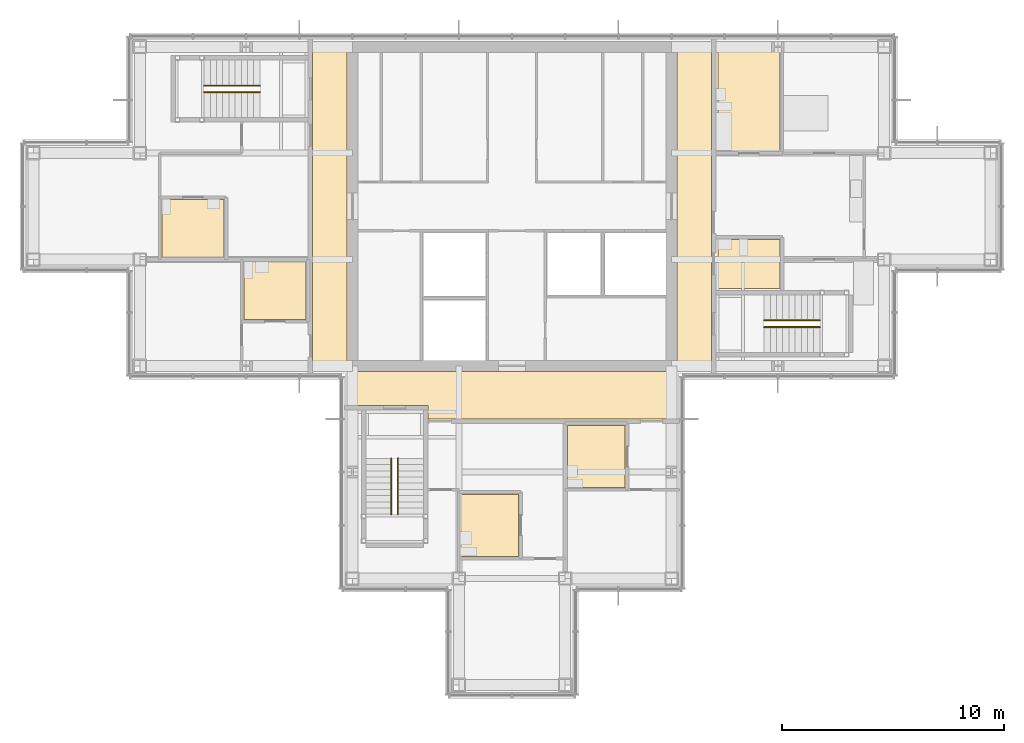
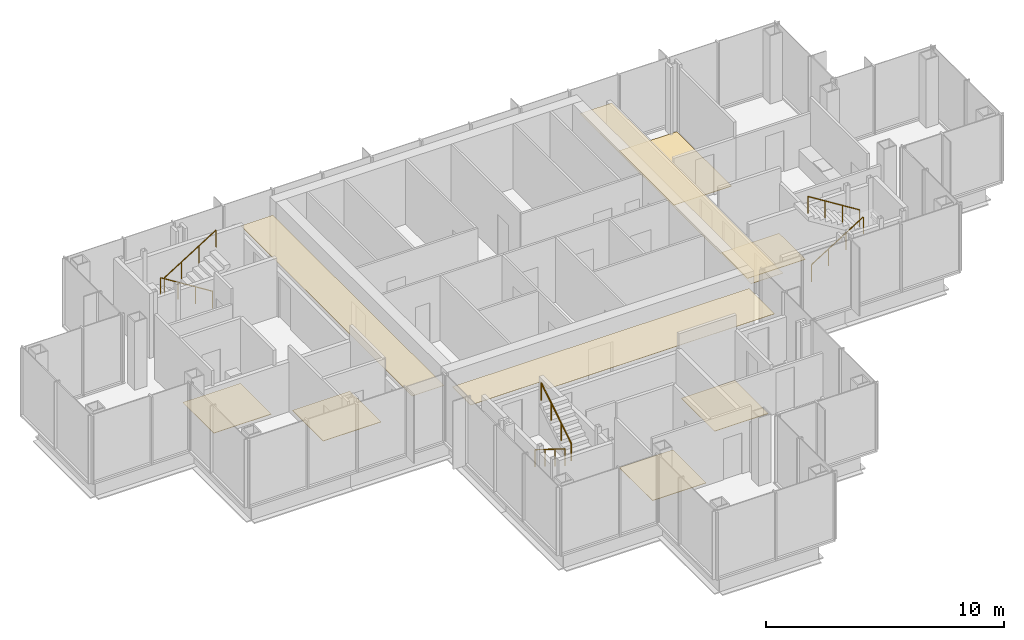
# One storey, part 13 of 15: 9 coverings, 6 railings.
"""IFC4 building model written with IfcOpenShell, lengths in metres."""

from ifc_helpers import new_model, si_unit, direction, frame, origin, origin_2d, place, context, subcontext, project, spatial, polyline, circle, outline, extrude, material, layer, layer_set, type_object, element, save


model = new_model("IFC4")

# Units and contexts
model_context = context("Model", 3, precision=1e-05, world=origin(), true_north=direction((0.0, 1.0)))
body_context = subcontext(model_context, "Body", "Model", "MODEL_VIEW")
ifc_project = project(units=[si_unit("LENGTHUNIT", "METRE"), si_unit("AREAUNIT", "SQUARE_METRE"), si_unit("VOLUMEUNIT", "CUBIC_METRE"), si_unit("PLANEANGLEUNIT", "RADIAN"), si_unit("MASSUNIT", "GRAM", prefix="KILO")], contexts=[model_context])

# Site, building, storey
site_placement = place(None, origin())
site = spatial("IfcSite", under=ifc_project, at=site_placement, CompositionType="ELEMENT")
building_placement = place(site_placement, origin())
building = spatial("IfcBuilding", under=site, at=building_placement, Name="Kvirike Care Tower", CompositionType="ELEMENT")
storey_placement = place(building_placement, frame((0.0, 0.0, 233.0)))
storey = spatial("IfcBuildingStorey", under=building, at=storey_placement, Name="L64", CompositionType="ELEMENT", Elevation=233.0)

# Coverings
ifc_material_1 = material(Name="Perforated metal ceiling tile", Category="aluminium")
ifc_layer_1 = layer(ifc_material_1, 0.014892578125)
ifc_layer_set_1 = layer_set([ifc_layer_1], Name="CORRIDOR CEILING 15")
covering_type_1 = type_object("IfcCoveringType", Name="CORRIDOR CEILING 15", PredefinedType="CEILING", material=ifc_layer_set_1)
covering_1_placement = place(storey_placement, frame((0.0, 0.0, 2.5)))
element("IfcCovering", 1, at=covering_1_placement, inside=storey, type_object=covering_type_1, Name="Corridor ceiling L64", PredefinedType="CEILING", context=body_context, shape_type="SweptSolid", body=[
    extrude(outline(polyline([(12.60009765625, 43.199951171875), (14.14990234375, 43.199951171875), (14.14990234375, 28.800048828125), (12.60009765625, 28.800048828125), (12.60009765625, 43.199951171875)])), origin(), (0.0, 0.0, 1.0), 0.014892578125),
])
covering_2_placement = place(storey_placement, frame((0.0, 0.0, 2.5)))
element("IfcCovering", 2, at=covering_2_placement, inside=storey, type_object=covering_type_1, Name="Corridor ceiling L64", PredefinedType="CEILING", context=body_context, shape_type="SweptSolid", body=[
    extrude(outline(polyline([(14.39990234375, 28.550048828125), (28.800048828125, 28.550048828125), (28.800048828125, 26.39990234375), (17.800048828125, 26.39990234375), (17.800048828125, 27.0), (14.39990234375, 27.0), (14.39990234375, 28.550048828125)])), origin(), (0.0, 0.0, 1.0), 0.014892578125),
])
covering_3_placement = place(storey_placement, frame((0.0, 0.0, 2.5)))
element("IfcCovering", 3, at=covering_3_placement, inside=storey, type_object=covering_type_1, Name="Corridor ceiling L64", PredefinedType="CEILING", context=body_context, shape_type="SweptSolid", body=[
    extrude(outline(polyline([(30.60009765625, 28.800048828125), (29.050048828125, 28.800048828125), (29.050048828125, 43.199951171875), (30.60009765625, 43.199951171875), (30.60009765625, 28.800048828125)])), origin(), (0.0, 0.0, 1.0), 0.014892578125),
])

# Railings
ifc_material_2 = material(Name="Stainless steel handrail", Category="steel")
railing_type = type_object("IfcRailingType", Name="STAIR HANDRAIL 900", PredefinedType="HANDRAIL", material=ifc_material_2)
railing_1_placement = place(storey_placement, frame((10.219970703125, 41.449951171875, 0.175048828125)))
element("IfcRailing", 4, at=railing_1_placement, inside=storey, type_object=railing_type, Name="Stair 1 handrail L64 flight 1", PredefinedType="HANDRAIL", context=body_context, shape_type="SweptSolid", body=[
    extrude(circle(Radius=0.02490234375, at=origin_2d()), frame((0.0, 0.0, 0.875), z_axis=(-0.848007534815, 0.0, 0.529984170421), x_axis=(0.0, -1.0, 0.0)), (0.0, 0.0, 1.0), 2.9716796875),
    extrude(circle(Radius=0.02001953125, at=origin_2d()), origin(), (0.0, 0.0, 1.0), 0.849853515625),
    extrude(circle(Radius=0.02001953125, at=origin_2d()), frame((-0.840087890625, 0.0, 0.52490234375)), (0.0, 0.0, 1.0), 0.849853515625),
    extrude(circle(Radius=0.02001953125, at=origin_2d()), frame((-1.679931640625, 0.0, 1.050048828125)), (0.0, 0.0, 1.0), 0.849853515625),
    extrude(circle(Radius=0.02001953125, at=origin_2d()), frame((-2.52001953125, 0.0, 1.574951171875)), (0.0, 0.0, 1.0), 0.849853515625),
])
for number, where, name in (
    (5, (7.699951171875, 41.14990234375, 1.925048828125), "Stair 1 handrail L64 flight 2"),
    (6, (32.97998046875, 30.550048828125, 0.175048828125), "Stair 2 handrail L64 flight 1"),
):
    element("IfcRailing", number, at=place(storey_placement, frame(where)), inside=storey, type_object=railing_type, Name=name, PredefinedType="HANDRAIL", context=body_context, shape_type="SweptSolid", body=[
        extrude(circle(Radius=0.02490234375, at=origin_2d()), frame((0.0, 0.0, 0.875), z_axis=(0.848007534815, 0.0, 0.529984170421), x_axis=(0.0, 1.0, 0.0)), (0.0, 0.0, 1.0), 2.9716796875),
        extrude(circle(Radius=0.02001953125, at=origin_2d()), origin(), (0.0, 0.0, 1.0), 0.849853515625),
        extrude(circle(Radius=0.02001953125, at=origin_2d()), frame((0.840087890625, 0.0, 0.52490234375)), (0.0, 0.0, 1.0), 0.849853515625),
        extrude(circle(Radius=0.02001953125, at=origin_2d()), frame((1.679931640625, 0.0, 1.050048828125)), (0.0, 0.0, 1.0), 0.849853515625),
        extrude(circle(Radius=0.02001953125, at=origin_2d()), frame((2.52001953125, 0.0, 1.574951171875)), (0.0, 0.0, 1.0), 0.849853515625),
    ])
railing_2_placement = place(storey_placement, frame((35.5, 30.85009765625, 1.925048828125)))
element("IfcRailing", 7, at=railing_2_placement, inside=storey, type_object=railing_type, Name="Stair 2 handrail L64 flight 2", PredefinedType="HANDRAIL", context=body_context, shape_type="SweptSolid", body=[
    extrude(circle(Radius=0.02490234375, at=origin_2d()), frame((0.0, 0.0, 0.875), z_axis=(-0.848007534815, 0.0, 0.529984170421), x_axis=(0.0, -1.0, 0.0)), (0.0, 0.0, 1.0), 2.9716796875),
    extrude(circle(Radius=0.02001953125, at=origin_2d()), origin(), (0.0, 0.0, 1.0), 0.849853515625),
    extrude(circle(Radius=0.02001953125, at=origin_2d()), frame((-0.840087890625, 0.0, 0.52490234375)), (0.0, 0.0, 1.0), 0.849853515625),
    extrude(circle(Radius=0.02001953125, at=origin_2d()), frame((-1.679931640625, 0.0, 1.050048828125)), (0.0, 0.0, 1.0), 0.849853515625),
    extrude(circle(Radius=0.02001953125, at=origin_2d()), frame((-2.52001953125, 0.0, 1.574951171875)), (0.0, 0.0, 1.0), 0.849853515625),
])
railing_3_placement = place(storey_placement, frame((16.14990234375, 24.6201171875, 0.175048828125)))
element("IfcRailing", 8, at=railing_3_placement, inside=storey, type_object=railing_type, Name="Stair 5 handrail L64 flight 1", PredefinedType="HANDRAIL", context=body_context, shape_type="SweptSolid", body=[
    extrude(circle(Radius=0.02490234375, at=origin_2d()), frame((0.0, 0.0, 0.875), z_axis=(0.0, -0.848007534815, 0.529984170421), x_axis=(1.0, 0.0, 0.0)), (0.0, 0.0, 1.0), 2.9716796875),
    extrude(circle(Radius=0.02001953125, at=origin_2d()), origin(), (0.0, 0.0, 1.0), 0.849853515625),
    extrude(circle(Radius=0.02001953125, at=origin_2d()), frame((0.0, -0.840087890625, 0.52490234375)), (0.0, 0.0, 1.0), 0.849853515625),
    extrude(circle(Radius=0.02001953125, at=origin_2d()), frame((0.0, -1.679931640625, 1.050048828125)), (0.0, 0.0, 1.0), 0.849853515625),
    extrude(circle(Radius=0.02001953125, at=origin_2d()), frame((0.0, -2.52001953125, 1.574951171875)), (0.0, 0.0, 1.0), 0.849853515625),
])
railing_4_placement = place(storey_placement, frame((16.449951171875, 22.10009765625, 1.925048828125)))
element("IfcRailing", 9, at=railing_4_placement, inside=storey, type_object=railing_type, Name="Stair 5 handrail L64 flight 2", PredefinedType="HANDRAIL", context=body_context, shape_type="SweptSolid", body=[
    extrude(circle(Radius=0.02490234375, at=origin_2d()), frame((0.0, 0.0, 0.875), z_axis=(0.0, 0.848007534815, 0.529984170421), x_axis=(-1.0, 0.0, 0.0)), (0.0, 0.0, 1.0), 2.9716796875),
    extrude(circle(Radius=0.02001953125, at=origin_2d()), origin(), (0.0, 0.0, 1.0), 0.849853515625),
    extrude(circle(Radius=0.02001953125, at=origin_2d()), frame((0.0, 0.840087890625, 0.52490234375)), (0.0, 0.0, 1.0), 0.849853515625),
    extrude(circle(Radius=0.02001953125, at=origin_2d()), frame((0.0, 1.679931640625, 1.050048828125)), (0.0, 0.0, 1.0), 0.849853515625),
    extrude(circle(Radius=0.02001953125, at=origin_2d()), frame((0.0, 2.52001953125, 1.574951171875)), (0.0, 0.0, 1.0), 0.849853515625),
])

# Coverings
ifc_material_3 = material(Name="Slip-resistant vinyl safety flooring on screed")
ifc_layer_2 = layer(ifc_material_3, 0.02001953125)
ifc_layer_set_2 = layer_set([ifc_layer_2], Name="WET ROOM FLOOR 20")
covering_type_2 = type_object("IfcCoveringType", Name="WET ROOM FLOOR 20", PredefinedType="FLOORING", material=ifc_layer_set_2)
covering_4_placement = place(storey_placement, origin())
element("IfcCovering", 10, at=covering_4_placement, inside=storey, type_object=covering_type_2, Name="Staff WC floor L64-004", PredefinedType="FLOORING", context=body_context, shape_type="SweptSolid", body=[
    extrude(outline(polyline([(5.800048828125, 36.300048828125), (8.60009765625, 36.300048828125), (8.60009765625, 33.699951171875), (5.800048828125, 33.699951171875), (5.800048828125, 36.300048828125)])), origin(), (0.0, 0.0, 1.0), 0.02001953125),
])
covering_5_placement = place(storey_placement, origin())
element("IfcCovering", 11, at=covering_5_placement, inside=storey, type_object=covering_type_2, Name="Accessible WC floor L64-007", PredefinedType="FLOORING", context=body_context, shape_type="SweptSolid", body=[
    extrude(outline(polyline([(9.5, 33.5), (12.300048828125, 33.5), (12.300048828125, 30.89990234375), (9.5, 30.89990234375), (9.5, 33.5)])), origin(), (0.0, 0.0, 1.0), 0.02001953125),
])
covering_6_placement = place(storey_placement, origin())
element("IfcCovering", 12, at=covering_6_placement, inside=storey, type_object=covering_type_2, Name="Accessible WC floor L64-013", PredefinedType="FLOORING", context=body_context, shape_type="SweptSolid", body=[
    extrude(outline(polyline([(19.300048828125, 20.199951171875), (19.300048828125, 23.0), (21.89990234375, 23.0), (21.89990234375, 20.199951171875), (19.300048828125, 20.199951171875)])), origin(), (0.0, 0.0, 1.0), 0.02001953125),
])
covering_7_placement = place(storey_placement, origin())
element("IfcCovering", 13, at=covering_7_placement, inside=storey, type_object=covering_type_2, Name="Staff WC floor L64-016", PredefinedType="FLOORING", context=body_context, shape_type="SweptSolid", body=[
    extrude(outline(polyline([(24.10009765625, 23.300048828125), (24.10009765625, 26.10009765625), (26.699951171875, 26.10009765625), (26.699951171875, 23.300048828125), (24.10009765625, 23.300048828125)])), origin(), (0.0, 0.0, 1.0), 0.02001953125),
])
covering_8_placement = place(storey_placement, origin())
element("IfcCovering", 14, at=covering_8_placement, inside=storey, type_object=covering_type_2, Name="Accessible WC floor L64-023", PredefinedType="FLOORING", context=body_context, shape_type="SweptSolid", body=[
    extrude(outline(polyline([(33.699951171875, 32.300048828125), (30.89990234375, 32.300048828125), (30.89990234375, 34.5), (33.699951171875, 34.5), (33.699951171875, 32.300048828125)])), origin(), (0.0, 0.0, 1.0), 0.02001953125),
])
covering_9_placement = place(storey_placement, origin())
element("IfcCovering", 15, at=covering_9_placement, inside=storey, type_object=covering_type_2, Name="Bathroom floor L64-024", PredefinedType="FLOORING", context=body_context, shape_type="SweptSolid", body=[
    extrude(outline(polyline([(33.699951171875, 38.5), (30.89990234375, 38.5), (30.89990234375, 43.10009765625), (33.699951171875, 43.10009765625), (33.699951171875, 38.5)])), origin(), (0.0, 0.0, 1.0), 0.02001953125),
])

save(model, "model.ifc")
